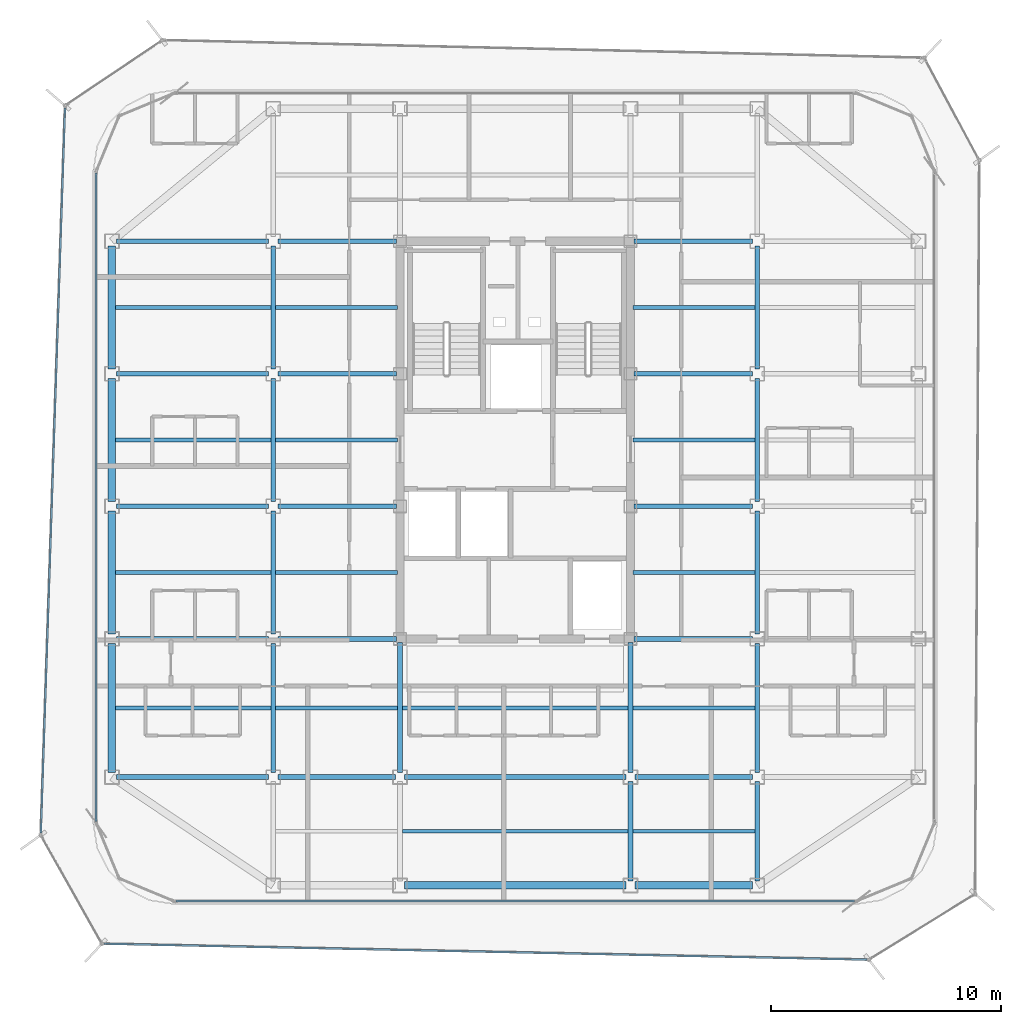
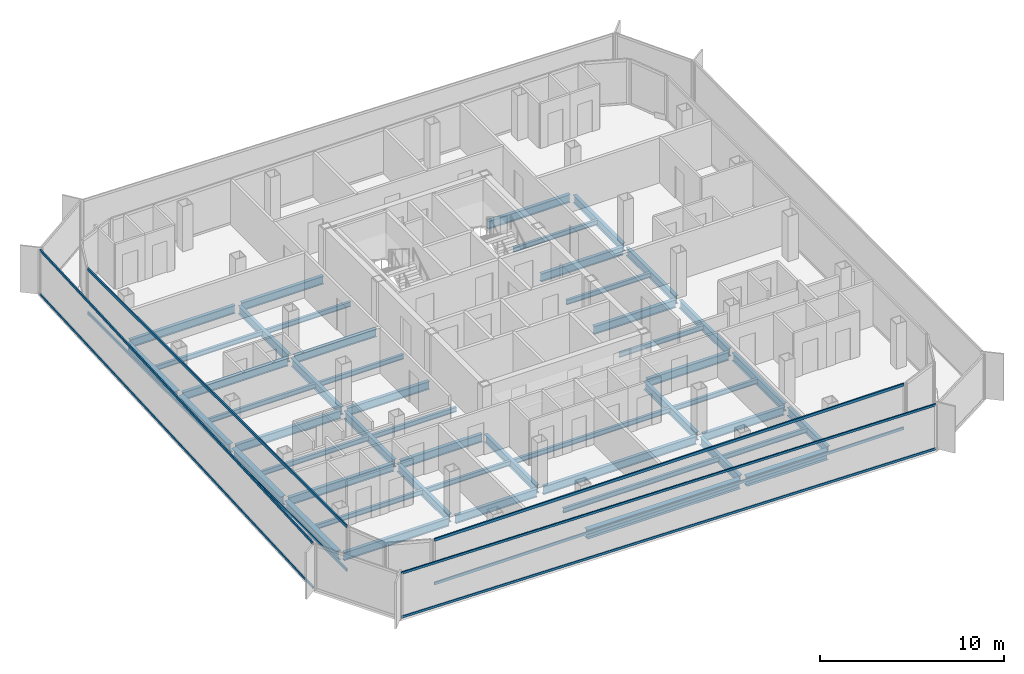
# One storey, part 3 of 16: 49 beams, 8 members, 4 elements without a shape of their own.
"""IFC4 building model written with IfcOpenShell, lengths in metres."""

from ifc_helpers import new_model, si_unit, direction, frame, origin, origin_2d, place, context, subcontext, project, spatial, hollow_rectangle, i_section, extrude, source, transform, mapped, material, layer, layer_set, material_profile, profile_set, type_object, element, aggregate, save


model = new_model("IFC4")

# Units and contexts
model_context = context("Model", 3, precision=1e-05, world=origin(), true_north=direction((0.0, 1.0)))
body_context = subcontext(model_context, "Body", "Model", "MODEL_VIEW")
ifc_project = project(units=[si_unit("LENGTHUNIT", "METRE"), si_unit("AREAUNIT", "SQUARE_METRE"), si_unit("VOLUMEUNIT", "CUBIC_METRE"), si_unit("PLANEANGLEUNIT", "RADIAN"), si_unit("MASSUNIT", "GRAM", prefix="KILO")], contexts=[model_context])

# Site, building, storey
site_placement = place(None, origin())
site = spatial("IfcSite", under=ifc_project, at=site_placement, CompositionType="ELEMENT")
building_placement = place(site_placement, origin())
building = spatial("IfcBuilding", under=site, at=building_placement, Name="Kolveth Station Tower", CompositionType="ELEMENT")
storey_placement = place(building_placement, frame((0.0, 0.0, 232.89990234375)))
storey = spatial("IfcBuildingStorey", under=building, at=storey_placement, Name="L66", CompositionType="ELEMENT", Elevation=232.89990234375)

# Beams
ifc_material_1 = material(Name="Steel S355", Category="steel")
ifc_material_profile_1 = material_profile(ifc_material_1, i_section(OverallWidth=0.323974609375, OverallDepth=0.611083984375, WebThickness=0.0126953125, FlangeThickness=0.01904296875, at=origin_2d()), Name="W610x155")
ifc_profile_set_1 = profile_set([ifc_material_profile_1], Name="Steel S355")
beam_type_1 = type_object("IfcBeamType", Name="Beam_SP2", PredefinedType="SPANDREL", material=ifc_profile_set_1)
shared_shape_1 = source(origin(), body_context, "Body", "SweptSolid", [
    extrude(i_section(OverallWidth=0.323974609375, OverallDepth=0.611083984375, WebThickness=0.0126953125, FlangeThickness=0.01904296875, at=origin_2d()), origin(), (0.0, 0.0, 1.0), 5.10009765625),
])
beam_1_placement = place(storey_placement, frame((28.699951171875, 0.800048828125, -0.525390625), z_axis=(1.0, 0.0, 0.0), x_axis=(0.0, 1.0, 0.0)))
element("IfcBeam", 1, at=beam_1_placement, inside=storey, type_object=beam_type_1, Name="L66 Perimeter Spandrel BM-L66-PS-3", PredefinedType="SPANDREL", context=body_context, shape_type="MappedRepresentation", body=[
    mapped(shared_shape_1, transform((0.0, 0.0, 0.0), x_axis=(1.0, 0.0, 0.0), y_axis=(0.0, 1.0, 0.0), z_axis=(0.0, 0.0, 1.0), scale=1.0)),
])
shared_shape_2 = source(origin(), body_context, "Body", "SweptSolid", [
    extrude(i_section(OverallWidth=0.323974609375, OverallDepth=0.611083984375, WebThickness=0.0126953125, FlangeThickness=0.01904296875, at=origin_2d()), origin(), (0.0, 0.0, 1.0), 9.60009765625),
])
beam_2_placement = place(storey_placement, frame((18.699951171875, 0.800048828125, -0.525390625), z_axis=(1.0, 0.0, 0.0), x_axis=(0.0, 1.0, 0.0)))
element("IfcBeam", 2, at=beam_2_placement, inside=storey, type_object=beam_type_1, Name="L66 Perimeter Spandrel BM-L66-PS-2", PredefinedType="SPANDREL", context=body_context, shape_type="MappedRepresentation", body=[
    mapped(shared_shape_2, transform((0.0, 0.0, 0.0), x_axis=(1.0, 0.0, 0.0), y_axis=(0.0, 1.0, 0.0), z_axis=(0.0, 0.0, 1.0), scale=1.0)),
])
shared_shape_3 = source(origin(), body_context, "Body", "SweptSolid", [
    extrude(i_section(OverallWidth=0.323974609375, OverallDepth=0.611083984375, WebThickness=0.0126953125, FlangeThickness=0.01904296875, at=origin_2d()), origin(), (0.0, 0.0, 1.0), 5.60009765625),
])
beam_3_placement = place(storey_placement, frame((6.0, 5.699951171875, -0.525390625), z_axis=(0.0, 1.0, 0.0), x_axis=(-1.0, 0.0, 0.0)))
element("IfcBeam", 3, at=beam_3_placement, inside=storey, type_object=beam_type_1, Name="L66 Perimeter Spandrel BM-L66-PW-1", PredefinedType="SPANDREL", context=body_context, shape_type="MappedRepresentation", body=[
    mapped(shared_shape_3, transform((0.0, 0.0, 0.0), x_axis=(1.0, 0.0, 0.0), y_axis=(0.0, 1.0, 0.0), z_axis=(0.0, 0.0, 1.0), scale=1.0)),
])
shared_shape_4 = source(origin(), body_context, "Body", "SweptSolid", [
    extrude(i_section(OverallWidth=0.323974609375, OverallDepth=0.611083984375, WebThickness=0.0126953125, FlangeThickness=0.01904296875, at=origin_2d()), origin(), (0.0, 0.0, 1.0), 5.35009765625),
])
for number, where, z_axis, x_axis, name in (
    (4, (6.0, 11.699951171875, -0.525390625), (0.0, 1.0, 0.0), (-1.0, 0.0, 0.0), "L66 Perimeter Spandrel BM-L66-PW-2"),
    (5, (6.0, 17.449951171875, -0.525390625), (0.0, 1.0, 0.0), (-1.0, 0.0, 0.0), "L66 Perimeter Spandrel BM-L66-PW-3"),
    (6, (6.0, 23.199951171875, -0.525390625), (0.0, 1.0, 0.0), (-1.0, 0.0, 0.0), "L66 Perimeter Spandrel BM-L66-PW-4"),
):
    element("IfcBeam", number, at=place(storey_placement, frame(where, z_axis=z_axis, x_axis=x_axis)), inside=storey, type_object=beam_type_1, Name=name, PredefinedType="SPANDREL", context=body_context, shape_type="MappedRepresentation", body=[
        mapped(shared_shape_4, transform((0.0, 0.0, 0.0), x_axis=(1.0, 0.0, 0.0), y_axis=(0.0, 1.0, 0.0), z_axis=(0.0, 0.0, 1.0), scale=1.0)),
    ])
ifc_material_profile_2 = material_profile(ifc_material_1, i_section(OverallWidth=0.2099609375, OverallDepth=0.537109375, WebThickness=0.010986328125, FlangeThickness=0.017333984375, at=origin_2d()), Name="W530x101")
ifc_profile_set_2 = profile_set([ifc_material_profile_2], Name="Steel S355")
beam_type_2 = type_object("IfcBeamType", Name="Beam_B6", PredefinedType="BEAM", material=ifc_profile_set_2)
shared_shape_5 = source(origin(), body_context, "Body", "SweptSolid", [
    extrude(i_section(OverallWidth=0.2099609375, OverallDepth=0.537109375, WebThickness=0.010986328125, FlangeThickness=0.017333984375, at=origin_2d()), origin(), (0.0, 0.0, 1.0), 6.60009765625),
])
for number, where, z_axis, x_axis, name in (
    (7, (6.199951171875, 5.5, -0.48828125), (1.0, 0.0, 0.0), (0.0, 1.0, 0.0), "L66 Primary Girder BM-L66-GY55-1"),
    (8, (6.199951171875, 11.5, -0.48828125), (1.0, 0.0, 0.0), (0.0, 1.0, 0.0), "L66 Primary Girder BM-L66-GY115-1"),
    (9, (6.199951171875, 17.25, -0.48828125), (1.0, 0.0, 0.0), (0.0, 1.0, 0.0), "L66 Primary Girder BM-L66-GY172-1"),
    (10, (6.199951171875, 23.0, -0.48828125), (1.0, 0.0, 0.0), (0.0, 1.0, 0.0), "L66 Primary Girder BM-L66-GY230-1"),
    (11, (6.199951171875, 28.75, -0.48828125), (1.0, 0.0, 0.0), (0.0, 1.0, 0.0), "L66 Primary Girder BM-L66-GY287-1"),
):
    element("IfcBeam", number, at=place(storey_placement, frame(where, z_axis=z_axis, x_axis=x_axis)), inside=storey, type_object=beam_type_2, Name=name, PredefinedType="BEAM", context=body_context, shape_type="MappedRepresentation", body=[
        mapped(shared_shape_5, transform((0.0, 0.0, 0.0), x_axis=(1.0, 0.0, 0.0), y_axis=(0.0, 1.0, 0.0), z_axis=(0.0, 0.0, 1.0), scale=1.0)),
    ])
shared_shape_6 = source(origin(), body_context, "Body", "SweptSolid", [
    extrude(i_section(OverallWidth=0.2099609375, OverallDepth=0.537109375, WebThickness=0.010986328125, FlangeThickness=0.017333984375, at=origin_2d()), origin(), (0.0, 0.0, 1.0), 5.10009765625),
])
for number, where, z_axis, x_axis, name in (
    (12, (13.199951171875, 5.5, -0.48828125), (1.0, 0.0, 0.0), (0.0, 1.0, 0.0), "L66 Primary Girder BM-L66-GY55-2"),
    (13, (28.699951171875, 5.5, -0.48828125), (1.0, 0.0, 0.0), (0.0, 1.0, 0.0), "L66 Primary Girder BM-L66-GY55-4"),
):
    element("IfcBeam", number, at=place(storey_placement, frame(where, z_axis=z_axis, x_axis=x_axis)), inside=storey, type_object=beam_type_2, Name=name, PredefinedType="BEAM", context=body_context, shape_type="MappedRepresentation", body=[
        mapped(shared_shape_6, transform((0.0, 0.0, 0.0), x_axis=(1.0, 0.0, 0.0), y_axis=(0.0, 1.0, 0.0), z_axis=(0.0, 0.0, 1.0), scale=1.0)),
    ])
shared_shape_7 = source(origin(), body_context, "Body", "SweptSolid", [
    extrude(i_section(OverallWidth=0.2099609375, OverallDepth=0.537109375, WebThickness=0.010986328125, FlangeThickness=0.017333984375, at=origin_2d()), origin(), (0.0, 0.0, 1.0), 9.60009765625),
])
beam_4_placement = place(storey_placement, frame((18.699951171875, 5.5, -0.48828125), z_axis=(1.0, 0.0, 0.0), x_axis=(0.0, 1.0, 0.0)))
element("IfcBeam", 14, at=beam_4_placement, inside=storey, type_object=beam_type_2, Name="L66 Primary Girder BM-L66-GY55-3", PredefinedType="BEAM", context=body_context, shape_type="MappedRepresentation", body=[
    mapped(shared_shape_7, transform((0.0, 0.0, 0.0), x_axis=(1.0, 0.0, 0.0), y_axis=(0.0, 1.0, 0.0), z_axis=(0.0, 0.0, 1.0), scale=1.0)),
])
shared_shape_8 = source(origin(), body_context, "Body", "SweptSolid", [
    extrude(i_section(OverallWidth=0.2099609375, OverallDepth=0.537109375, WebThickness=0.010986328125, FlangeThickness=0.017333984375, at=origin_2d()), origin(), (0.0, 0.0, 1.0), 5.14013671875),
])
for number, where, z_axis, x_axis, name in (
    (15, (13.199951171875, 11.5, -0.48828125), (1.0, 0.0, 0.0), (0.0, 1.0, 0.0), "L66 Primary Girder BM-L66-GY115-2"),
    (16, (28.659912109375, 11.5, -0.48828125), (1.0, 0.0, 0.0), (0.0, 1.0, 0.0), "L66 Primary Girder BM-L66-GY115-4"),
    (17, (13.199951171875, 17.25, -0.48828125), (1.0, 0.0, 0.0), (0.0, 1.0, 0.0), "L66 Primary Girder BM-L66-GY172-2"),
    (18, (28.659912109375, 17.25, -0.48828125), (1.0, 0.0, 0.0), (0.0, 1.0, 0.0), "L66 Primary Girder BM-L66-GY172-4"),
    (19, (13.199951171875, 23.0, -0.48828125), (1.0, 0.0, 0.0), (0.0, 1.0, 0.0), "L66 Primary Girder BM-L66-GY230-2"),
    (20, (28.659912109375, 23.0, -0.48828125), (1.0, 0.0, 0.0), (0.0, 1.0, 0.0), "L66 Primary Girder BM-L66-GY230-4"),
    (21, (13.199951171875, 28.75, -0.48828125), (1.0, 0.0, 0.0), (0.0, 1.0, 0.0), "L66 Primary Girder BM-L66-GY287-2"),
    (22, (28.659912109375, 28.75, -0.48828125), (1.0, 0.0, 0.0), (0.0, 1.0, 0.0), "L66 Primary Girder BM-L66-GY287-4"),
):
    element("IfcBeam", number, at=place(storey_placement, frame(where, z_axis=z_axis, x_axis=x_axis)), inside=storey, type_object=beam_type_2, Name=name, PredefinedType="BEAM", context=body_context, shape_type="MappedRepresentation", body=[
        mapped(shared_shape_8, transform((0.0, 0.0, 0.0), x_axis=(1.0, 0.0, 0.0), y_axis=(0.0, 1.0, 0.0), z_axis=(0.0, 0.0, 1.0), scale=1.0)),
    ])
shared_shape_9 = source(origin(), body_context, "Body", "SweptSolid", [
    extrude(i_section(OverallWidth=0.2099609375, OverallDepth=0.537109375, WebThickness=0.010986328125, FlangeThickness=0.017333984375, at=origin_2d()), origin(), (0.0, 0.0, 1.0), 4.300048828125),
])
for number, where, z_axis, x_axis, name in (
    (23, (28.5, 1.0, -0.48828125), (0.0, 1.0, 0.0), (-1.0, 0.0, 0.0), "L66 Primary Girder BM-L66-GX285-1"),
    (24, (34.0, 1.0, -0.48828125), (0.0, 1.0, 0.0), (-1.0, 0.0, 0.0), "L66 Primary Girder BM-L66-GX340-1"),
):
    element("IfcBeam", number, at=place(storey_placement, frame(where, z_axis=z_axis, x_axis=x_axis)), inside=storey, type_object=beam_type_2, Name=name, PredefinedType="BEAM", context=body_context, shape_type="MappedRepresentation", body=[
        mapped(shared_shape_9, transform((0.0, 0.0, 0.0), x_axis=(1.0, 0.0, 0.0), y_axis=(0.0, 1.0, 0.0), z_axis=(0.0, 0.0, 1.0), scale=1.0)),
    ])
shared_shape_10 = source(origin(), body_context, "Body", "SweptSolid", [
    extrude(i_section(OverallWidth=0.2099609375, OverallDepth=0.537109375, WebThickness=0.010986328125, FlangeThickness=0.017333984375, at=origin_2d()), origin(), (0.0, 0.0, 1.0), 5.60009765625),
])
for number, where, z_axis, x_axis, name in (
    (25, (13.0, 5.699951171875, -0.48828125), (0.0, 1.0, 0.0), (-1.0, 0.0, 0.0), "L66 Primary Girder BM-L66-GX130-2"),
    (26, (34.0, 5.699951171875, -0.48828125), (0.0, 1.0, 0.0), (-1.0, 0.0, 0.0), "L66 Primary Girder BM-L66-GX340-2"),
):
    element("IfcBeam", number, at=place(storey_placement, frame(where, z_axis=z_axis, x_axis=x_axis)), inside=storey, type_object=beam_type_2, Name=name, PredefinedType="BEAM", context=body_context, shape_type="MappedRepresentation", body=[
        mapped(shared_shape_10, transform((0.0, 0.0, 0.0), x_axis=(1.0, 0.0, 0.0), y_axis=(0.0, 1.0, 0.0), z_axis=(0.0, 0.0, 1.0), scale=1.0)),
    ])
shared_shape_11 = source(origin(), body_context, "Body", "SweptSolid", [
    extrude(i_section(OverallWidth=0.2099609375, OverallDepth=0.537109375, WebThickness=0.010986328125, FlangeThickness=0.017333984375, at=origin_2d()), origin(), (0.0, 0.0, 1.0), 5.35009765625),
])
for number, where, z_axis, x_axis, name in (
    (27, (13.0, 11.699951171875, -0.48828125), (0.0, 1.0, 0.0), (-1.0, 0.0, 0.0), "L66 Primary Girder BM-L66-GX130-3"),
    (28, (13.0, 17.449951171875, -0.48828125), (0.0, 1.0, 0.0), (-1.0, 0.0, 0.0), "L66 Primary Girder BM-L66-GX130-4"),
    (29, (13.0, 23.199951171875, -0.48828125), (0.0, 1.0, 0.0), (-1.0, 0.0, 0.0), "L66 Primary Girder BM-L66-GX130-5"),
    (30, (34.0, 11.699951171875, -0.48828125), (0.0, 1.0, 0.0), (-1.0, 0.0, 0.0), "L66 Primary Girder BM-L66-GX340-3"),
    (31, (34.0, 17.449951171875, -0.48828125), (0.0, 1.0, 0.0), (-1.0, 0.0, 0.0), "L66 Primary Girder BM-L66-GX340-4"),
    (32, (34.0, 23.199951171875, -0.48828125), (0.0, 1.0, 0.0), (-1.0, 0.0, 0.0), "L66 Primary Girder BM-L66-GX340-5"),
):
    element("IfcBeam", number, at=place(storey_placement, frame(where, z_axis=z_axis, x_axis=x_axis)), inside=storey, type_object=beam_type_2, Name=name, PredefinedType="BEAM", context=body_context, shape_type="MappedRepresentation", body=[
        mapped(shared_shape_11, transform((0.0, 0.0, 0.0), x_axis=(1.0, 0.0, 0.0), y_axis=(0.0, 1.0, 0.0), z_axis=(0.0, 0.0, 1.0), scale=1.0)),
    ])
shared_shape_12 = source(origin(), body_context, "Body", "SweptSolid", [
    extrude(i_section(OverallWidth=0.2099609375, OverallDepth=0.537109375, WebThickness=0.010986328125, FlangeThickness=0.017333984375, at=origin_2d()), origin(), (0.0, 0.0, 1.0), 5.64013671875),
])
for number, where, z_axis, x_axis, name in (
    (33, (18.5, 5.699951171875, -0.48828125), (0.0, 1.0, 0.0), (-1.0, 0.0, 0.0), "L66 Primary Girder BM-L66-GX185-2"),
    (34, (28.5, 5.699951171875, -0.48828125), (0.0, 1.0, 0.0), (-1.0, 0.0, 0.0), "L66 Primary Girder BM-L66-GX285-2"),
):
    element("IfcBeam", number, at=place(storey_placement, frame(where, z_axis=z_axis, x_axis=x_axis)), inside=storey, type_object=beam_type_2, Name=name, PredefinedType="BEAM", context=body_context, shape_type="MappedRepresentation", body=[
        mapped(shared_shape_12, transform((0.0, 0.0, 0.0), x_axis=(1.0, 0.0, 0.0), y_axis=(0.0, 1.0, 0.0), z_axis=(0.0, 0.0, 1.0), scale=1.0)),
    ])
ifc_material_profile_3 = material_profile(ifc_material_1, i_section(OverallWidth=0.1650390625, OverallDepth=0.31005859375, WebThickness=0.005859375, FlangeThickness=0.009765625, at=origin_2d()), Name="W310x39")
ifc_profile_set_3 = profile_set([ifc_material_profile_3], Name="Steel S355")
beam_type_3 = type_object("IfcBeamType", Name="Beam_J3", PredefinedType="JOIST", material=ifc_profile_set_3)
shared_shape_13 = source(origin(), body_context, "Body", "SweptSolid", [
    extrude(i_section(OverallWidth=0.1650390625, OverallDepth=0.31005859375, WebThickness=0.005859375, FlangeThickness=0.009765625, at=origin_2d()), origin(), (0.0, 0.0, 1.0), 6.737060546875),
])
for number, where, z_axis, x_axis, name in (
    (35, (6.159912109375, 8.5, -0.375), (1.0, 0.0, 0.0), (0.0, 1.0, 0.0), "L66 Secondary Joist JST-L66-1-2"),
    (36, (6.159912109375, 14.375, -0.375), (1.0, 0.0, 0.0), (0.0, 1.0, 0.0), "L66 Secondary Joist JST-L66-1-3"),
    (37, (6.159912109375, 20.125, -0.375), (1.0, 0.0, 0.0), (0.0, 1.0, 0.0), "L66 Secondary Joist JST-L66-1-4"),
    (38, (6.159912109375, 25.875, -0.375), (1.0, 0.0, 0.0), (0.0, 1.0, 0.0), "L66 Secondary Joist JST-L66-1-5"),
):
    element("IfcBeam", number, at=place(storey_placement, frame(where, z_axis=z_axis, x_axis=x_axis)), inside=storey, type_object=beam_type_3, Name=name, PredefinedType="JOIST", context=body_context, shape_type="MappedRepresentation", body=[
        mapped(shared_shape_13, transform((0.0, 0.0, 0.0), x_axis=(1.0, 0.0, 0.0), y_axis=(0.0, 1.0, 0.0), z_axis=(0.0, 0.0, 1.0), scale=1.0)),
    ])
shared_shape_14 = source(origin(), body_context, "Body", "SweptSolid", [
    extrude(i_section(OverallWidth=0.1650390625, OverallDepth=0.31005859375, WebThickness=0.005859375, FlangeThickness=0.009765625, at=origin_2d()), origin(), (0.0, 0.0, 1.0), 5.2939453125),
])
for number, where, z_axis, x_axis, name in (
    (39, (13.10302734375, 8.5, -0.375), (1.0, 0.0, 0.0), (0.0, 1.0, 0.0), "L66 Secondary Joist JST-L66-2-2"),
    (40, (13.10302734375, 14.375, -0.375), (1.0, 0.0, 0.0), (0.0, 1.0, 0.0), "L66 Secondary Joist JST-L66-2-3"),
    (41, (13.10302734375, 20.125, -0.375), (1.0, 0.0, 0.0), (0.0, 1.0, 0.0), "L66 Secondary Joist JST-L66-2-4"),
    (42, (13.10302734375, 25.875, -0.375), (1.0, 0.0, 0.0), (0.0, 1.0, 0.0), "L66 Secondary Joist JST-L66-2-5"),
    (43, (28.60302734375, 3.14990234375, -0.375), (1.0, 0.0, 0.0), (0.0, 1.0, 0.0), "L66 Secondary Joist JST-L66-4-1"),
    (44, (28.60302734375, 8.5, -0.375), (1.0, 0.0, 0.0), (0.0, 1.0, 0.0), "L66 Secondary Joist JST-L66-4-2"),
    (45, (28.60302734375, 14.375, -0.375), (1.0, 0.0, 0.0), (0.0, 1.0, 0.0), "L66 Secondary Joist JST-L66-4-3"),
    (46, (28.60302734375, 20.125, -0.375), (1.0, 0.0, 0.0), (0.0, 1.0, 0.0), "L66 Secondary Joist JST-L66-4-4"),
    (47, (28.60302734375, 25.875, -0.375), (1.0, 0.0, 0.0), (0.0, 1.0, 0.0), "L66 Secondary Joist JST-L66-4-5"),
):
    element("IfcBeam", number, at=place(storey_placement, frame(where, z_axis=z_axis, x_axis=x_axis)), inside=storey, type_object=beam_type_3, Name=name, PredefinedType="JOIST", context=body_context, shape_type="MappedRepresentation", body=[
        mapped(shared_shape_14, transform((0.0, 0.0, 0.0), x_axis=(1.0, 0.0, 0.0), y_axis=(0.0, 1.0, 0.0), z_axis=(0.0, 0.0, 1.0), scale=1.0)),
    ])
shared_shape_15 = source(origin(), body_context, "Body", "SweptSolid", [
    extrude(i_section(OverallWidth=0.1650390625, OverallDepth=0.31005859375, WebThickness=0.005859375, FlangeThickness=0.009765625, at=origin_2d()), origin(), (0.0, 0.0, 1.0), 9.7939453125),
])
for number, where, z_axis, x_axis, name in (
    (48, (18.60302734375, 3.14990234375, -0.375), (1.0, 0.0, 0.0), (0.0, 1.0, 0.0), "L66 Secondary Joist JST-L66-3-1"),
    (49, (18.60302734375, 8.5, -0.375), (1.0, 0.0, 0.0), (0.0, 1.0, 0.0), "L66 Secondary Joist JST-L66-3-2"),
):
    element("IfcBeam", number, at=place(storey_placement, frame(where, z_axis=z_axis, x_axis=x_axis)), inside=storey, type_object=beam_type_3, Name=name, PredefinedType="JOIST", context=body_context, shape_type="MappedRepresentation", body=[
        mapped(shared_shape_15, transform((0.0, 0.0, 0.0), x_axis=(1.0, 0.0, 0.0), y_axis=(0.0, 1.0, 0.0), z_axis=(0.0, 0.0, 1.0), scale=1.0)),
    ])

# Curtain wall, members
ifc_material_2 = material(Name="Aluminium 6063-T6 and triple low-E dark glass", Category="aluminium")
ifc_layer_1 = layer(ifc_material_2, 0.199951171875)
ifc_layer_set_1 = layer_set([ifc_layer_1], Name="Aluminium 6063-T6 and triple low-E dark glass")
curtain_wall_type_1 = type_object("IfcCurtainWallType", Name="CurtainWall_CW-Z3", PredefinedType="NOTDEFINED", material=ifc_layer_set_1)
curtain_wall_1_placement = place(storey_placement, origin())
curtain_wall_1 = element("IfcCurtainWall", 50, at=curtain_wall_1_placement, inside=storey, type_object=curtain_wall_type_1, Name="L66 Inner Thermal Curtain Wall 9", PredefinedType="NOTDEFINED")
ifc_material_3 = material(Name="Black anodized aluminium 6063-T6", Category="aluminium")
ifc_material_profile_4 = material_profile(ifc_material_3, hollow_rectangle(XDim=0.0849609375, YDim=0.179931640625, WallThickness=0.0048828125, at=origin_2d()), Name="ALU-85x180x5")
ifc_profile_set_4 = profile_set([ifc_material_profile_4], Name="Black anodized aluminium 6063-T6")
member_type_1 = type_object("IfcMemberType", Name="Transom_TR3", PredefinedType="USERDEFINED", material=ifc_profile_set_4)
shared_shape_16 = source(origin(), body_context, "Body", "SweptSolid", [
    extrude(hollow_rectangle(XDim=0.0849609375, YDim=0.179931640625, WallThickness=0.0048828125, at=origin_2d()), origin(), (0.0, 0.0, 1.0), 28.130126953125),
])
member_1_placement = place(storey_placement, frame((5.320068359375, 31.715087890625, 0.04248046875), z_axis=(0.0, -1.0, 0.0), x_axis=(1.0, 0.0, 0.0)))
member_1 = element("IfcMember", 51, at=member_1_placement, type_object=member_type_1, Name="CW-Z3 transom 1.1", ObjectType="TRANSOM", PredefinedType="USERDEFINED", context=body_context, shape_type="MappedRepresentation", body=[
    mapped(shared_shape_16, transform((0.0, 0.0, 0.0), x_axis=(1.0, 0.0, 0.0), y_axis=(0.0, 1.0, 0.0), z_axis=(0.0, 0.0, 1.0), scale=1.0)),
])
member_2_placement = place(storey_placement, frame((5.320068359375, 31.715087890625, 2.9375), z_axis=(0.0, -1.0, 0.0), x_axis=(1.0, 0.0, 0.0)))
member_2 = element("IfcMember", 52, at=member_2_placement, type_object=member_type_1, Name="CW-Z3 transom 1.2", ObjectType="TRANSOM", PredefinedType="USERDEFINED", context=body_context, shape_type="MappedRepresentation", body=[
    mapped(shared_shape_16, transform((0.0, 0.0, 0.0), x_axis=(1.0, 0.0, 0.0), y_axis=(0.0, 1.0, 0.0), z_axis=(0.0, 0.0, 1.0), scale=1.0)),
])
aggregate(curtain_wall_1, [member_1, member_2])

curtain_wall_2_placement = place(storey_placement, origin())
curtain_wall_2 = element("IfcCurtainWall", 53, at=curtain_wall_2_placement, inside=storey, type_object=curtain_wall_type_1, Name="L66 Inner Thermal Curtain Wall 12", PredefinedType="NOTDEFINED")
shared_shape_17 = source(origin(), body_context, "Body", "SweptSolid", [
    extrude(hollow_rectangle(XDim=0.0849609375, YDim=0.179931640625, WallThickness=0.0048828125, at=origin_2d()), origin(), (0.0, 0.0, 1.0), 29.43017578125),
])
member_3_placement = place(storey_placement, frame((8.784912109375, 0.1201171875, 0.04248046875), z_axis=(1.0, 0.0, 0.0), x_axis=(0.0, 1.0, 0.0)))
member_3 = element("IfcMember", 54, at=member_3_placement, type_object=member_type_1, Name="CW-Z3 transom 1.1", ObjectType="TRANSOM", PredefinedType="USERDEFINED", context=body_context, shape_type="MappedRepresentation", body=[
    mapped(shared_shape_17, transform((0.0, 0.0, 0.0), x_axis=(1.0, 0.0, 0.0), y_axis=(0.0, 1.0, 0.0), z_axis=(0.0, 0.0, 1.0), scale=1.0)),
])
member_4_placement = place(storey_placement, frame((8.784912109375, 0.1201171875, 2.9375), z_axis=(1.0, 0.0, 0.0), x_axis=(0.0, 1.0, 0.0)))
member_4 = element("IfcMember", 55, at=member_4_placement, type_object=member_type_1, Name="CW-Z3 transom 1.2", ObjectType="TRANSOM", PredefinedType="USERDEFINED", context=body_context, shape_type="MappedRepresentation", body=[
    mapped(shared_shape_17, transform((0.0, 0.0, 0.0), x_axis=(1.0, 0.0, 0.0), y_axis=(0.0, 1.0, 0.0), z_axis=(0.0, 0.0, 1.0), scale=1.0)),
])
aggregate(curtain_wall_2, [member_3, member_4])

ifc_material_4 = material(Name="Black anodized aluminium 6063-T6 and dark solar glass", Category="aluminium")
ifc_layer_2 = layer(ifc_material_4, 0.159912109375)
ifc_layer_set_2 = layer_set([ifc_layer_2], Name="Black anodized aluminium 6063-T6 and dark solar glass")
curtain_wall_type_2 = type_object("IfcCurtainWallType", Name="OUTER SKIN CW-OS", PredefinedType="NOTDEFINED", material=ifc_layer_set_2)
curtain_wall_3_placement = place(storey_placement, origin())
curtain_wall_3 = element("IfcCurtainWall", 56, at=curtain_wall_3_placement, inside=storey, type_object=curtain_wall_type_2, Name="L66 Outer Ventilated Skin Curtain Wall 6", PredefinedType="NOTDEFINED")
ifc_material_profile_5 = material_profile(ifc_material_3, hollow_rectangle(XDim=0.080078125, YDim=0.14990234375, WallThickness=0.0048828125, at=origin_2d()), Name="ALU-80x150x5")
ifc_profile_set_5 = profile_set([ifc_material_profile_5], Name="Black anodized aluminium 6063-T6")
member_type_2 = type_object("IfcMemberType", Name="Transom_TR-OS", PredefinedType="USERDEFINED", material=ifc_profile_set_5)
shared_shape_18 = source(origin(), body_context, "Body", "SweptSolid", [
    extrude(hollow_rectangle(XDim=0.080078125, YDim=0.14990234375, WallThickness=0.0048828125, at=origin_2d()), origin(), (0.0, 0.0, 1.0), 31.482177734375),
])
member_5_placement = place(storey_placement, frame((3.9658203125, 34.540771484375, 0.0400390625), z_axis=(-0.033299595827, -0.999445414676, 0.0), x_axis=(0.999445414676, -0.033299595827, 0.0)))
member_5 = element("IfcMember", 57, at=member_5_placement, type_object=member_type_2, Name="CW-OS transom 1.1", ObjectType="TRANSOM", PredefinedType="USERDEFINED", context=body_context, shape_type="MappedRepresentation", body=[
    mapped(shared_shape_18, transform((0.0, 0.0, 0.0), x_axis=(1.0, 0.0, 0.0), y_axis=(0.0, 1.0, 0.0), z_axis=(0.0, 0.0, 1.0), scale=1.0)),
])
member_6_placement = place(storey_placement, frame((3.9658203125, 34.540771484375, 2.9501953125), z_axis=(-0.033299595827, -0.999445414676, 0.0), x_axis=(0.999445414676, -0.033299595827, 0.0)))
member_6 = element("IfcMember", 58, at=member_6_placement, type_object=member_type_2, Name="CW-OS transom 1.2", ObjectType="TRANSOM", PredefinedType="USERDEFINED", context=body_context, shape_type="MappedRepresentation", body=[
    mapped(shared_shape_18, transform((0.0, 0.0, 0.0), x_axis=(1.0, 0.0, 0.0), y_axis=(0.0, 1.0, 0.0), z_axis=(0.0, 0.0, 1.0), scale=1.0)),
])
aggregate(curtain_wall_3, [member_5, member_6])

curtain_wall_4_placement = place(storey_placement, origin())
curtain_wall_4 = element("IfcCurtainWall", 59, at=curtain_wall_4_placement, inside=storey, type_object=curtain_wall_type_2, Name="L66 Outer Ventilated Skin Curtain Wall 8", PredefinedType="NOTDEFINED")
shared_shape_19 = source(origin(), body_context, "Body", "SweptSolid", [
    extrude(hollow_rectangle(XDim=0.080078125, YDim=0.14990234375, WallThickness=0.0048828125, at=origin_2d()), origin(), (0.0, 0.0, 1.0), 33.103759765625),
])
member_7_placement = place(storey_placement, frame((5.658447265625, -1.726806640625, 0.0400390625), z_axis=(0.999781399392, -0.020908214389, 0.0), x_axis=(0.020908214389, 0.999781399392, 0.0)))
member_7 = element("IfcMember", 60, at=member_7_placement, type_object=member_type_2, Name="CW-OS transom 1.1", ObjectType="TRANSOM", PredefinedType="USERDEFINED", context=body_context, shape_type="MappedRepresentation", body=[
    mapped(shared_shape_19, transform((0.0, 0.0, 0.0), x_axis=(1.0, 0.0, 0.0), y_axis=(0.0, 1.0, 0.0), z_axis=(0.0, 0.0, 1.0), scale=1.0)),
])
member_8_placement = place(storey_placement, frame((5.658447265625, -1.726806640625, 2.9501953125), z_axis=(0.999781399392, -0.020908214389, 0.0), x_axis=(0.020908214389, 0.999781399392, 0.0)))
member_8 = element("IfcMember", 61, at=member_8_placement, type_object=member_type_2, Name="CW-OS transom 1.2", ObjectType="TRANSOM", PredefinedType="USERDEFINED", context=body_context, shape_type="MappedRepresentation", body=[
    mapped(shared_shape_19, transform((0.0, 0.0, 0.0), x_axis=(1.0, 0.0, 0.0), y_axis=(0.0, 1.0, 0.0), z_axis=(0.0, 0.0, 1.0), scale=1.0)),
])
aggregate(curtain_wall_4, [member_7, member_8])

save(model, "model.ifc")
